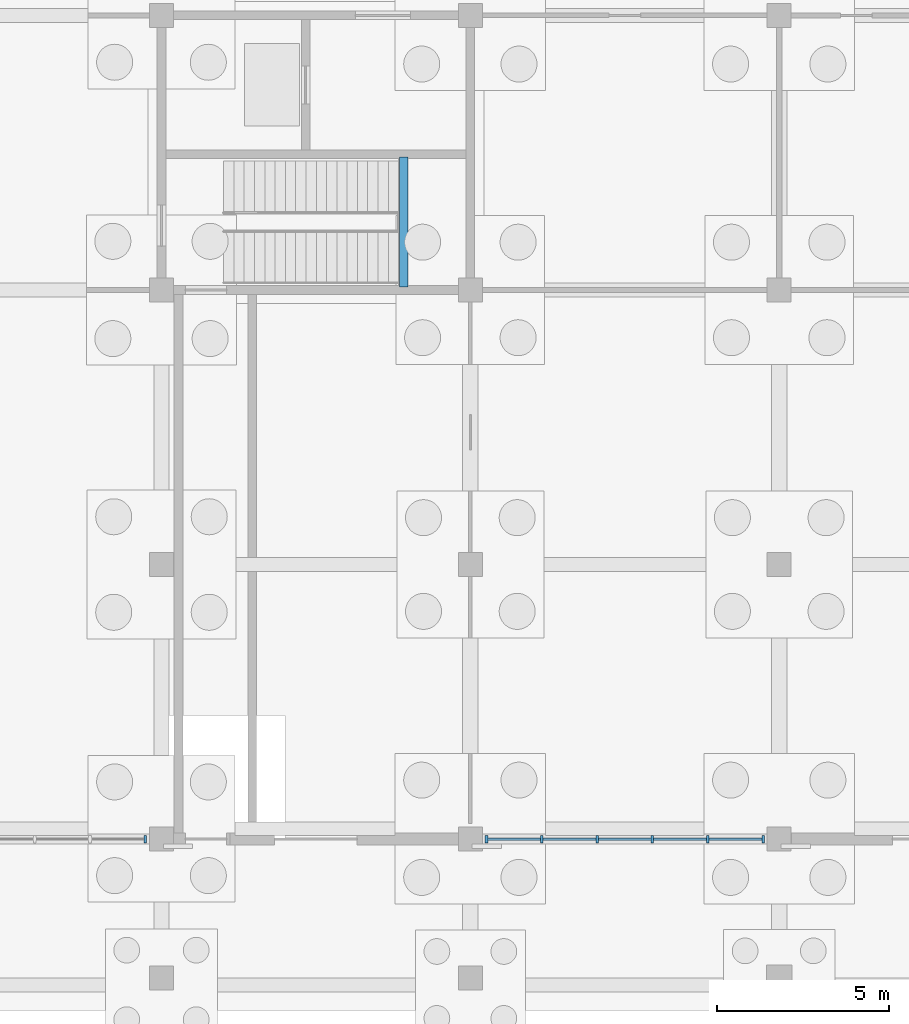
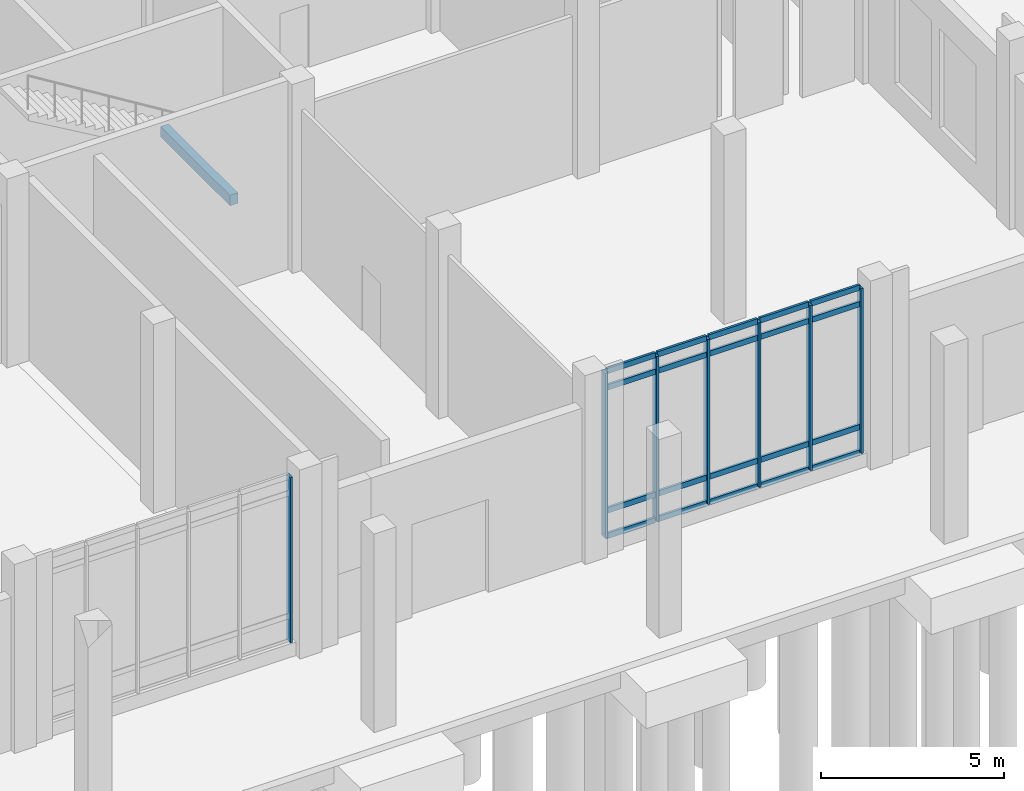
# One storey, part 45 of 99: 27 members, 1 beam, 2 elements without a shape of their own.
"""IFC4 building model written with IfcOpenShell, lengths in metres."""

from ifc_helpers import new_model, si_unit, direction, frame, origin, origin_2d, place, context, subcontext, project, spatial, rectangle, extrude, material, layer, layer_set, material_profile, profile_set, type_object, element, aggregate, save


model = new_model("IFC4")

# Units and contexts
model_context = context("Model", 3, precision=1e-05, world=origin(), true_north=direction((0.0, 1.0)))
body_context = subcontext(model_context, "Body", "Model", "MODEL_VIEW")
ifc_project = project(units=[si_unit("LENGTHUNIT", "METRE"), si_unit("AREAUNIT", "SQUARE_METRE"), si_unit("VOLUMEUNIT", "CUBIC_METRE"), si_unit("PLANEANGLEUNIT", "RADIAN"), si_unit("MASSUNIT", "GRAM", prefix="KILO")], contexts=[model_context])

# Site, building, storey
site_placement = place(None, origin())
site = spatial("IfcSite", under=ifc_project, at=site_placement, CompositionType="ELEMENT")
building_placement = place(site_placement, origin())
building = spatial("IfcBuilding", under=site, at=building_placement, Name="Zacnel Wholesale Market", CompositionType="ELEMENT")
storey_placement = place(building_placement, origin())
storey = spatial("IfcBuildingStorey", under=building, at=storey_placement, Name="L01", CompositionType="ELEMENT", Elevation=0.0)

# Beam
ifc_material_1 = material(Name="Precast concrete C45/55", Category="concrete")
ifc_material_profile_1 = material_profile(ifc_material_1, rectangle(XDim=0.25, YDim=0.35009765625, at=origin_2d()), Name="LN 250x350")
ifc_profile_set_1 = profile_set([ifc_material_profile_1], Name="Precast concrete C45/55")
beam_type = type_object("IfcBeamType", Name="BM-LN350", PredefinedType="LINTEL", material=ifc_profile_set_1)
beam_placement = place(storey_placement, frame((196.06005859375, 16.080078125, 2.77490234375), z_axis=(0.0, 1.0, 0.0), x_axis=(-1.0, 0.0, 0.0)))
element("IfcBeam", 1, at=beam_placement, inside=storey, type_object=beam_type, Name="Stair ST-04 half-landing bearing beam", PredefinedType="LINTEL", context=body_context, shape_type="SweptSolid", body=[
    extrude(rectangle(XDim=0.25, YDim=0.35009765625, at=origin_2d()), origin(), (0.0, 0.0, 1.0), 3.7900390625),
])

# Curtain wall, member
ifc_material_2 = material(Name="Anodised aluminium", Category="aluminium")
ifc_layer = layer(ifc_material_2, 0.179931640625)
ifc_layer_set = layer_set([ifc_layer], Name="Anodised aluminium")
curtain_wall_type = type_object("IfcCurtainWallType", Name="CW-BLVD-5400", PredefinedType="NOTDEFINED", material=ifc_layer_set)
curtain_wall_1_placement = place(storey_placement, origin())
curtain_wall_1 = element("IfcCurtainWall", 2, at=curtain_wall_1_placement, inside=storey, type_object=curtain_wall_type, Name="Curtain wall ENV-R2-CW-L01-007", PredefinedType="NOTDEFINED")
ifc_material_3 = material(Name="Anodised aluminium", Category="aluminium")
ifc_material_profile_2 = material_profile(ifc_material_3, rectangle(XDim=0.074951171875, YDim=0.219970703125, at=origin_2d()), Name="AW-MULLION 75x220")
ifc_profile_set_2 = profile_set([ifc_material_profile_2], Name="Anodised aluminium")
member_type_1 = type_object("IfcMemberType", Name="CWM-MUL-01", PredefinedType="MULLION", material=ifc_profile_set_2)
member_1_placement = place(storey_placement, frame((188.530029296875, 0.0, 0.449951171875), z_axis=(0.0, 0.0, 1.0), x_axis=(1.0, 0.0, 0.0)))
member_1 = element("IfcMember", 3, at=member_1_placement, type_object=member_type_1, Name="ENV-R2-CW-L01-007 mullion 06", PredefinedType="MULLION", context=body_context, shape_type="SweptSolid", body=[
    extrude(rectangle(XDim=0.074951171875, YDim=0.219970703125, at=origin_2d()), origin(), (0.0, 0.0, 1.0), 5.5),
])
aggregate(curtain_wall_1, [member_1])

# Curtain wall, members
curtain_wall_2_placement = place(storey_placement, origin())
curtain_wall_2 = element("IfcCurtainWall", 4, at=curtain_wall_2_placement, inside=storey, type_object=curtain_wall_type, Name="Curtain wall ENV-R2-CW-L01-008", PredefinedType="NOTDEFINED")
member_2_placement = place(storey_placement, frame((198.469970703125, 0.0, 0.449951171875), z_axis=(0.0, 0.0, 1.0), x_axis=(1.0, 0.0, 0.0)))
member_2 = element("IfcMember", 5, at=member_2_placement, type_object=member_type_1, Name="ENV-R2-CW-L01-008 mullion 01", PredefinedType="MULLION", context=body_context, shape_type="SweptSolid", body=[
    extrude(rectangle(XDim=0.074951171875, YDim=0.219970703125, at=origin_2d()), origin(), (0.0, 0.0, 1.0), 5.5),
])
member_3_placement = place(storey_placement, frame((200.08203125, 0.0, 0.449951171875), z_axis=(0.0, 0.0, 1.0), x_axis=(1.0, 0.0, 0.0)))
member_3 = element("IfcMember", 6, at=member_3_placement, type_object=member_type_1, Name="ENV-R2-CW-L01-008 mullion 02", PredefinedType="MULLION", context=body_context, shape_type="SweptSolid", body=[
    extrude(rectangle(XDim=0.074951171875, YDim=0.219970703125, at=origin_2d()), origin(), (0.0, 0.0, 1.0), 5.5),
])
member_4_placement = place(storey_placement, frame((201.694091796875, 0.0, 0.449951171875), z_axis=(0.0, 0.0, 1.0), x_axis=(1.0, 0.0, 0.0)))
member_4 = element("IfcMember", 7, at=member_4_placement, type_object=member_type_1, Name="ENV-R2-CW-L01-008 mullion 03", PredefinedType="MULLION", context=body_context, shape_type="SweptSolid", body=[
    extrude(rectangle(XDim=0.074951171875, YDim=0.219970703125, at=origin_2d()), origin(), (0.0, 0.0, 1.0), 5.5),
])
member_5_placement = place(storey_placement, frame((203.305908203125, 0.0, 0.449951171875), z_axis=(0.0, 0.0, 1.0), x_axis=(1.0, 0.0, 0.0)))
member_5 = element("IfcMember", 8, at=member_5_placement, type_object=member_type_1, Name="ENV-R2-CW-L01-008 mullion 04", PredefinedType="MULLION", context=body_context, shape_type="SweptSolid", body=[
    extrude(rectangle(XDim=0.074951171875, YDim=0.219970703125, at=origin_2d()), origin(), (0.0, 0.0, 1.0), 5.5),
])
member_6_placement = place(storey_placement, frame((204.91796875, 0.0, 0.449951171875), z_axis=(0.0, 0.0, 1.0), x_axis=(1.0, 0.0, 0.0)))
member_6 = element("IfcMember", 9, at=member_6_placement, type_object=member_type_1, Name="ENV-R2-CW-L01-008 mullion 05", PredefinedType="MULLION", context=body_context, shape_type="SweptSolid", body=[
    extrude(rectangle(XDim=0.074951171875, YDim=0.219970703125, at=origin_2d()), origin(), (0.0, 0.0, 1.0), 5.5),
])
member_7_placement = place(storey_placement, frame((206.530029296875, 0.0, 0.449951171875), z_axis=(0.0, 0.0, 1.0), x_axis=(1.0, 0.0, 0.0)))
member_7 = element("IfcMember", 10, at=member_7_placement, type_object=member_type_1, Name="ENV-R2-CW-L01-008 mullion 06", PredefinedType="MULLION", context=body_context, shape_type="SweptSolid", body=[
    extrude(rectangle(XDim=0.074951171875, YDim=0.219970703125, at=origin_2d()), origin(), (0.0, 0.0, 1.0), 5.5),
])
ifc_material_4 = material(Name="Anodised aluminium", Category="aluminium")
ifc_material_profile_3 = material_profile(ifc_material_4, rectangle(XDim=0.074951171875, YDim=0.179931640625, at=origin_2d()), Name="AW-TRANSOM 75x180")
ifc_profile_set_3 = profile_set([ifc_material_profile_3], Name="Anodised aluminium")
member_type_2 = type_object("IfcMemberType", Name="CWM-TRN-01", PredefinedType="USERDEFINED", material=ifc_profile_set_3)
member_8_placement = place(storey_placement, frame((198.5048828125, 0.0, 0.449951171875), z_axis=(1.0, 0.0, 0.0), x_axis=(0.0, 1.0, 0.0)))
member_8 = element("IfcMember", 11, at=member_8_placement, type_object=member_type_2, Name="ENV-R2-CW-L01-008 transom 1-1", ObjectType="TRANSOM", PredefinedType="USERDEFINED", context=body_context, shape_type="SweptSolid", body=[
    extrude(rectangle(XDim=0.074951171875, YDim=0.179931640625, at=origin_2d()), origin(), (0.0, 0.0, 1.0), 1.542236328125),
])
member_9_placement = place(storey_placement, frame((198.5048828125, 0.0, 1.300048828125), z_axis=(1.0, 0.0, 0.0), x_axis=(0.0, 1.0, 0.0)))
member_9 = element("IfcMember", 12, at=member_9_placement, type_object=member_type_2, Name="ENV-R2-CW-L01-008 transom 1-2", ObjectType="TRANSOM", PredefinedType="USERDEFINED", context=body_context, shape_type="SweptSolid", body=[
    extrude(rectangle(XDim=0.074951171875, YDim=0.179931640625, at=origin_2d()), origin(), (0.0, 0.0, 1.0), 1.542236328125),
])
member_10_placement = place(storey_placement, frame((198.5048828125, 0.0, 5.39990234375), z_axis=(1.0, 0.0, 0.0), x_axis=(0.0, 1.0, 0.0)))
member_10 = element("IfcMember", 13, at=member_10_placement, type_object=member_type_2, Name="ENV-R2-CW-L01-008 transom 1-3", ObjectType="TRANSOM", PredefinedType="USERDEFINED", context=body_context, shape_type="SweptSolid", body=[
    extrude(rectangle(XDim=0.074951171875, YDim=0.179931640625, at=origin_2d()), origin(), (0.0, 0.0, 1.0), 1.542236328125),
])
member_11_placement = place(storey_placement, frame((198.5048828125, 0.0, 5.949951171875), z_axis=(1.0, 0.0, 0.0), x_axis=(0.0, 1.0, 0.0)))
member_11 = element("IfcMember", 14, at=member_11_placement, type_object=member_type_2, Name="ENV-R2-CW-L01-008 transom 1-4", ObjectType="TRANSOM", PredefinedType="USERDEFINED", context=body_context, shape_type="SweptSolid", body=[
    extrude(rectangle(XDim=0.074951171875, YDim=0.179931640625, at=origin_2d()), origin(), (0.0, 0.0, 1.0), 1.542236328125),
])
member_12_placement = place(storey_placement, frame((200.116943359375, 0.0, 0.449951171875), z_axis=(1.0, 0.0, 0.0), x_axis=(0.0, 1.0, 0.0)))
member_12 = element("IfcMember", 15, at=member_12_placement, type_object=member_type_2, Name="ENV-R2-CW-L01-008 transom 2-1", ObjectType="TRANSOM", PredefinedType="USERDEFINED", context=body_context, shape_type="SweptSolid", body=[
    extrude(rectangle(XDim=0.074951171875, YDim=0.179931640625, at=origin_2d()), origin(), (0.0, 0.0, 1.0), 1.5419921875),
])
member_13_placement = place(storey_placement, frame((200.116943359375, 0.0, 1.300048828125), z_axis=(1.0, 0.0, 0.0), x_axis=(0.0, 1.0, 0.0)))
member_13 = element("IfcMember", 16, at=member_13_placement, type_object=member_type_2, Name="ENV-R2-CW-L01-008 transom 2-2", ObjectType="TRANSOM", PredefinedType="USERDEFINED", context=body_context, shape_type="SweptSolid", body=[
    extrude(rectangle(XDim=0.074951171875, YDim=0.179931640625, at=origin_2d()), origin(), (0.0, 0.0, 1.0), 1.5419921875),
])
member_14_placement = place(storey_placement, frame((200.116943359375, 0.0, 5.39990234375), z_axis=(1.0, 0.0, 0.0), x_axis=(0.0, 1.0, 0.0)))
member_14 = element("IfcMember", 17, at=member_14_placement, type_object=member_type_2, Name="ENV-R2-CW-L01-008 transom 2-3", ObjectType="TRANSOM", PredefinedType="USERDEFINED", context=body_context, shape_type="SweptSolid", body=[
    extrude(rectangle(XDim=0.074951171875, YDim=0.179931640625, at=origin_2d()), origin(), (0.0, 0.0, 1.0), 1.5419921875),
])
member_15_placement = place(storey_placement, frame((200.116943359375, 0.0, 5.949951171875), z_axis=(1.0, 0.0, 0.0), x_axis=(0.0, 1.0, 0.0)))
member_15 = element("IfcMember", 18, at=member_15_placement, type_object=member_type_2, Name="ENV-R2-CW-L01-008 transom 2-4", ObjectType="TRANSOM", PredefinedType="USERDEFINED", context=body_context, shape_type="SweptSolid", body=[
    extrude(rectangle(XDim=0.074951171875, YDim=0.179931640625, at=origin_2d()), origin(), (0.0, 0.0, 1.0), 1.5419921875),
])
member_16_placement = place(storey_placement, frame((201.72900390625, 0.0, 0.449951171875), z_axis=(1.0, 0.0, 0.0), x_axis=(0.0, 1.0, 0.0)))
member_16 = element("IfcMember", 19, at=member_16_placement, type_object=member_type_2, Name="ENV-R2-CW-L01-008 transom 3-1", ObjectType="TRANSOM", PredefinedType="USERDEFINED", context=body_context, shape_type="SweptSolid", body=[
    extrude(rectangle(XDim=0.074951171875, YDim=0.179931640625, at=origin_2d()), origin(), (0.0, 0.0, 1.0), 1.5419921875),
])
member_17_placement = place(storey_placement, frame((201.72900390625, 0.0, 1.300048828125), z_axis=(1.0, 0.0, 0.0), x_axis=(0.0, 1.0, 0.0)))
member_17 = element("IfcMember", 20, at=member_17_placement, type_object=member_type_2, Name="ENV-R2-CW-L01-008 transom 3-2", ObjectType="TRANSOM", PredefinedType="USERDEFINED", context=body_context, shape_type="SweptSolid", body=[
    extrude(rectangle(XDim=0.074951171875, YDim=0.179931640625, at=origin_2d()), origin(), (0.0, 0.0, 1.0), 1.5419921875),
])
member_18_placement = place(storey_placement, frame((201.72900390625, 0.0, 5.39990234375), z_axis=(1.0, 0.0, 0.0), x_axis=(0.0, 1.0, 0.0)))
member_18 = element("IfcMember", 21, at=member_18_placement, type_object=member_type_2, Name="ENV-R2-CW-L01-008 transom 3-3", ObjectType="TRANSOM", PredefinedType="USERDEFINED", context=body_context, shape_type="SweptSolid", body=[
    extrude(rectangle(XDim=0.074951171875, YDim=0.179931640625, at=origin_2d()), origin(), (0.0, 0.0, 1.0), 1.5419921875),
])
member_19_placement = place(storey_placement, frame((201.72900390625, 0.0, 5.949951171875), z_axis=(1.0, 0.0, 0.0), x_axis=(0.0, 1.0, 0.0)))
member_19 = element("IfcMember", 22, at=member_19_placement, type_object=member_type_2, Name="ENV-R2-CW-L01-008 transom 3-4", ObjectType="TRANSOM", PredefinedType="USERDEFINED", context=body_context, shape_type="SweptSolid", body=[
    extrude(rectangle(XDim=0.074951171875, YDim=0.179931640625, at=origin_2d()), origin(), (0.0, 0.0, 1.0), 1.5419921875),
])
member_20_placement = place(storey_placement, frame((203.341064453125, 0.0, 0.449951171875), z_axis=(1.0, 0.0, 0.0), x_axis=(0.0, 1.0, 0.0)))
member_20 = element("IfcMember", 23, at=member_20_placement, type_object=member_type_2, Name="ENV-R2-CW-L01-008 transom 4-1", ObjectType="TRANSOM", PredefinedType="USERDEFINED", context=body_context, shape_type="SweptSolid", body=[
    extrude(rectangle(XDim=0.074951171875, YDim=0.179931640625, at=origin_2d()), origin(), (0.0, 0.0, 1.0), 1.5419921875),
])
member_21_placement = place(storey_placement, frame((203.341064453125, 0.0, 1.300048828125), z_axis=(1.0, 0.0, 0.0), x_axis=(0.0, 1.0, 0.0)))
member_21 = element("IfcMember", 24, at=member_21_placement, type_object=member_type_2, Name="ENV-R2-CW-L01-008 transom 4-2", ObjectType="TRANSOM", PredefinedType="USERDEFINED", context=body_context, shape_type="SweptSolid", body=[
    extrude(rectangle(XDim=0.074951171875, YDim=0.179931640625, at=origin_2d()), origin(), (0.0, 0.0, 1.0), 1.5419921875),
])
member_22_placement = place(storey_placement, frame((203.341064453125, 0.0, 5.39990234375), z_axis=(1.0, 0.0, 0.0), x_axis=(0.0, 1.0, 0.0)))
member_22 = element("IfcMember", 25, at=member_22_placement, type_object=member_type_2, Name="ENV-R2-CW-L01-008 transom 4-3", ObjectType="TRANSOM", PredefinedType="USERDEFINED", context=body_context, shape_type="SweptSolid", body=[
    extrude(rectangle(XDim=0.074951171875, YDim=0.179931640625, at=origin_2d()), origin(), (0.0, 0.0, 1.0), 1.5419921875),
])
member_23_placement = place(storey_placement, frame((203.341064453125, 0.0, 5.949951171875), z_axis=(1.0, 0.0, 0.0), x_axis=(0.0, 1.0, 0.0)))
member_23 = element("IfcMember", 26, at=member_23_placement, type_object=member_type_2, Name="ENV-R2-CW-L01-008 transom 4-4", ObjectType="TRANSOM", PredefinedType="USERDEFINED", context=body_context, shape_type="SweptSolid", body=[
    extrude(rectangle(XDim=0.074951171875, YDim=0.179931640625, at=origin_2d()), origin(), (0.0, 0.0, 1.0), 1.5419921875),
])
member_24_placement = place(storey_placement, frame((204.952880859375, 0.0, 0.449951171875), z_axis=(1.0, 0.0, 0.0), x_axis=(0.0, 1.0, 0.0)))
member_24 = element("IfcMember", 27, at=member_24_placement, type_object=member_type_2, Name="ENV-R2-CW-L01-008 transom 5-1", ObjectType="TRANSOM", PredefinedType="USERDEFINED", context=body_context, shape_type="SweptSolid", body=[
    extrude(rectangle(XDim=0.074951171875, YDim=0.179931640625, at=origin_2d()), origin(), (0.0, 0.0, 1.0), 1.542236328125),
])
member_25_placement = place(storey_placement, frame((204.952880859375, 0.0, 1.300048828125), z_axis=(1.0, 0.0, 0.0), x_axis=(0.0, 1.0, 0.0)))
member_25 = element("IfcMember", 28, at=member_25_placement, type_object=member_type_2, Name="ENV-R2-CW-L01-008 transom 5-2", ObjectType="TRANSOM", PredefinedType="USERDEFINED", context=body_context, shape_type="SweptSolid", body=[
    extrude(rectangle(XDim=0.074951171875, YDim=0.179931640625, at=origin_2d()), origin(), (0.0, 0.0, 1.0), 1.542236328125),
])
member_26_placement = place(storey_placement, frame((204.952880859375, 0.0, 5.39990234375), z_axis=(1.0, 0.0, 0.0), x_axis=(0.0, 1.0, 0.0)))
member_26 = element("IfcMember", 29, at=member_26_placement, type_object=member_type_2, Name="ENV-R2-CW-L01-008 transom 5-3", ObjectType="TRANSOM", PredefinedType="USERDEFINED", context=body_context, shape_type="SweptSolid", body=[
    extrude(rectangle(XDim=0.074951171875, YDim=0.179931640625, at=origin_2d()), origin(), (0.0, 0.0, 1.0), 1.542236328125),
])
member_27_placement = place(storey_placement, frame((204.952880859375, 0.0, 5.949951171875), z_axis=(1.0, 0.0, 0.0), x_axis=(0.0, 1.0, 0.0)))
member_27 = element("IfcMember", 30, at=member_27_placement, type_object=member_type_2, Name="ENV-R2-CW-L01-008 transom 5-4", ObjectType="TRANSOM", PredefinedType="USERDEFINED", context=body_context, shape_type="SweptSolid", body=[
    extrude(rectangle(XDim=0.074951171875, YDim=0.179931640625, at=origin_2d()), origin(), (0.0, 0.0, 1.0), 1.542236328125),
])
aggregate(curtain_wall_2, [member_2, member_3, member_4, member_5, member_6, member_7, member_8, member_9, member_10, member_11, member_12, member_13, member_14, member_15, member_16, member_17, member_18, member_19, member_20, member_21, member_22, member_23, member_24, member_25, member_26, member_27])

save(model, "model.ifc")
